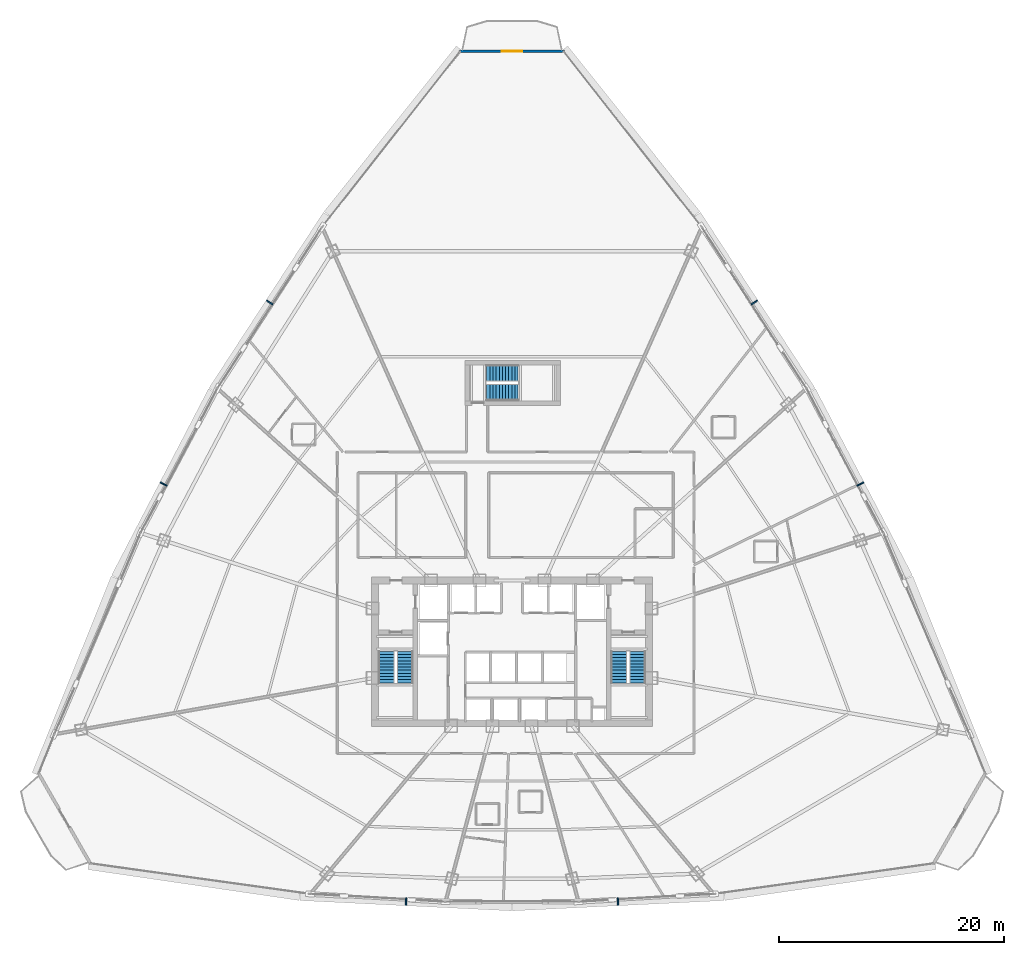
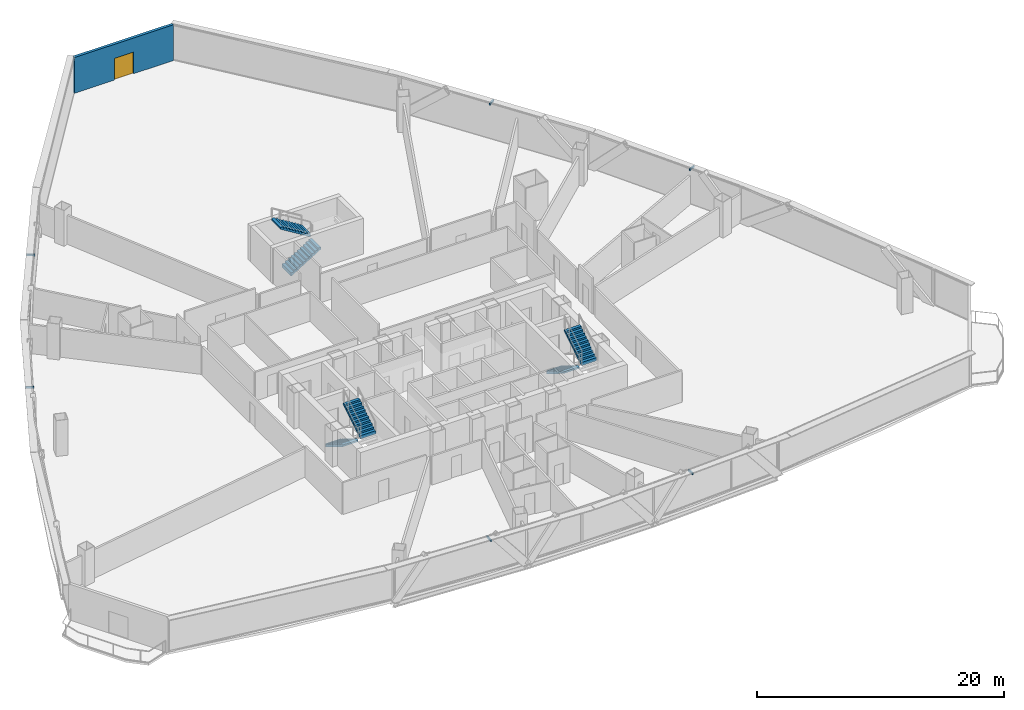
# One storey, part 34 of 38: 6 discrete accessories, 6 stair flights, 1 door, 1 wall, 1 opening, 3 elements without a shape of their own.
"""IFC4 building model written with IfcOpenShell, lengths in metres."""

from ifc_helpers import new_model, si_unit, direction, frame, frame_2d, origin, origin_with_axes, origin_2d, place, context, subcontext, project, spatial, polyline, rectangle, outline, extrude, source, transform, mapped, material, layer, layer_set, type_object, element, fill, aggregate, save


model = new_model("IFC4")

# Units and contexts
model_context = context("Model", 3, precision=1e-05, world=origin(), true_north=direction((0.0, 1.0)))
body_context = subcontext(model_context, "Body", "Model", "MODEL_VIEW")
ifc_project = project(units=[si_unit("LENGTHUNIT", "METRE"), si_unit("AREAUNIT", "SQUARE_METRE"), si_unit("VOLUMEUNIT", "CUBIC_METRE"), si_unit("PLANEANGLEUNIT", "RADIAN"), si_unit("MASSUNIT", "GRAM", prefix="KILO"), si_unit("THERMODYNAMICTEMPERATUREUNIT", "KELVIN"), si_unit("POWERUNIT", "WATT")], contexts=[model_context])

# Site, building, storey
site_placement = place(None, origin())
site = spatial("IfcSite", under=ifc_project, at=site_placement, CompositionType="ELEMENT")
building_placement = place(site_placement, origin())
building = spatial("IfcBuilding", under=site, at=building_placement, Name="Yunzhuo Pagoda Commons", CompositionType="ELEMENT")
storey_placement = place(building_placement, frame((0.0, 0.0, 81.179931640625)))
storey = spatial("IfcBuildingStorey", under=building, at=storey_placement, Name="L20", CompositionType="ELEMENT", Elevation=81.179931640625)

# Wall, opening, door
ifc_material_1 = material(Name="Precast concrete C40", Category="concrete")
ifc_layer = layer(ifc_material_1, 0.260009765625)
ifc_layer_set = layer_set([ifc_layer], Name="Precast concrete C40")
wall_type = type_object("IfcWallType", Name="W-BAL1 Corner Balcony Threshold Wall 260", PredefinedType="STANDARD", material=ifc_layer_set)
wall_placement = place(storey_placement, frame((52.652587890625, 87.320068359375, 0.0), z_axis=(0.0, 0.0, 1.0), x_axis=(-1.0, 0.0, 0.0)))
wall = element("IfcWall", 1, at=wall_placement, inside=storey, type_object=wall_type, Name="L20 corner balcony wall V3", PredefinedType="STANDARD", context=body_context, shape_type="SweptSolid", body=[
    extrude(rectangle(XDim=9.30517578125, YDim=0.260009765625, at=frame_2d((4.652587890625, 0.0))), origin(), (0.0, 0.0, 1.0), 3.5400390625),
])
opening_placement = place(wall_placement, frame((3.752685546875, 0.0, 0.0)))
opening = element("IfcOpeningElement", 2, at=opening_placement, cuts=wall, Name="Opening D-BAL1", PredefinedType="OPENING", context=body_context, shape_type="SweptSolid", body=[
    extrude(rectangle(XDim=1.800048828125, YDim=2.14990234375, at=frame_2d((0.89990234375, 1.074951171875))), frame((0.0, 0.14013671875, 0.0), z_axis=(0.0, -1.0, 0.0), x_axis=(1.0, 0.0, 0.0)), (0.0, 0.0, 1.0), 0.280029296875),
])
ifc_material_2 = material(Name="Anodized aluminium frame and tempered glazed leaf", Category="aluminium")
door_type = type_object("IfcDoorType", Name="D-BAL1 Corner Balcony Sliding Glazed Door 1800x2150", OperationType="DOUBLE_DOOR_SLIDING", PredefinedType="DOOR", material=ifc_material_2)
shared_shape_1 = source(origin(), body_context, "Body", "SweptSolid", [
    extrude(rectangle(XDim=1.800048828125, YDim=2.14990234375, at=frame_2d((0.89990234375, 1.074951171875))), frame((0.0, 0.02490234375, 0.0), z_axis=(0.0, -1.0, 0.0), x_axis=(1.0, 0.0, 0.0)), (0.0, 0.0, 1.0), 0.050048828125),
])
door_placement = place(opening_placement, origin_with_axes())
door = element("IfcDoor", 3, at=door_placement, inside=storey, type_object=door_type, Name="L20 corner balcony sliding door V3", OperationType="DOUBLE_DOOR_SLIDING", OverallHeight=2.14990234375, OverallWidth=1.800048828125, PredefinedType="DOOR", context=body_context, shape_type="MappedRepresentation", body=[
    mapped(shared_shape_1, transform((0.0, 0.0, 0.0), scale=1.0)),
])
fill(opening, door)

# Stair, stair flights
ifc_material_3 = material(Name="Concrete C40", Category="concrete")
stair_type_1 = type_object("IfcStairType", Name="ST-C1 Core Smokeproof Stair ST1", PredefinedType="HALF_TURN_STAIR", material=ifc_material_3)
stair_1_placement = place(storey_placement, origin())
stair_1 = element("IfcStair", 4, at=stair_1_placement, inside=storey, type_object=stair_type_1, Name="L20 Core smokeproof stair ST1", PredefinedType="HALF_TURN_STAIR")
stair_flight_type_1 = type_object("IfcStairFlightType", Name="STF-C1 Core Stair Flight 1450", PredefinedType="STRAIGHT", material=ifc_material_3)
shared_shape_2 = source(origin(), body_context, "Body", "SweptSolid", [
    extrude(outline(polyline([(0.0, -0.14990234375), (0.0, 0.0), (0.0, 0.172607421875), (0.280029296875, 0.172607421875), (0.280029296875, 0.345458984375), (0.56005859375, 0.345458984375), (0.56005859375, 0.51806640625), (0.840087890625, 0.51806640625), (0.840087890625, 0.69091796875), (1.1201171875, 0.69091796875), (1.1201171875, 0.863525390625), (1.39990234375, 0.863525390625), (1.39990234375, 1.036376953125), (1.679931640625, 1.036376953125), (1.679931640625, 1.208984375), (1.9599609375, 1.208984375), (1.9599609375, 1.3818359375), (2.239990234375, 1.3818359375), (2.239990234375, 1.554443359375), (2.52001953125, 1.554443359375), (2.52001953125, 1.727294921875), (2.800048828125, 1.727294921875), (2.800048828125, 1.89990234375), (2.800048828125, 1.551025390625), (0.285400390625, 0.0), (0.050048828125, -0.14990234375), (0.0, -0.14990234375)])), frame((0.0, 0.72509765625, 0.0), z_axis=(0.0, -1.0, 0.0), x_axis=(1.0, 0.0, 0.0)), (0.0, 0.0, 1.0), 1.449951171875),
])
stair_flight_1_placement = place(storey_placement, frame((36.824951171875, 33.89990234375, 0.0), z_axis=(0.0, 0.0, 1.0), x_axis=(0.0, -1.0, 0.0)))
stair_flight_1 = element("IfcStairFlight", 5, at=stair_flight_1_placement, type_object=stair_flight_type_1, Name="ST1 flight 1", NumberOfRisers=11, NumberOfTreads=10, PredefinedType="STRAIGHT", RiserHeight=0.172727273, TreadLength=0.28, context=body_context, shape_type="MappedRepresentation", body=[
    mapped(shared_shape_2, transform((0.0, 0.0, 0.0), scale=1.0)),
])
stair_flight_2_placement = place(storey_placement, frame((38.47509765625, 31.10009765625, 1.900146484375), z_axis=(0.0, 0.0, 1.0), x_axis=(0.0, 1.0, 0.0)))
stair_flight_2 = element("IfcStairFlight", 6, at=stair_flight_2_placement, type_object=stair_flight_type_1, Name="ST1 flight 2", NumberOfRisers=11, NumberOfTreads=10, PredefinedType="STRAIGHT", RiserHeight=0.172727273, TreadLength=0.28, context=body_context, shape_type="MappedRepresentation", body=[
    mapped(shared_shape_2, transform((0.0, 0.0, 0.0), scale=1.0)),
])
aggregate(stair_1, [stair_flight_1, stair_flight_2])

stair_type_2 = type_object("IfcStairType", Name="ST-C2 Core Smokeproof Stair ST2", PredefinedType="HALF_TURN_STAIR", material=ifc_material_3)
stair_2_placement = place(storey_placement, origin())
stair_2 = element("IfcStair", 7, at=stair_2_placement, inside=storey, type_object=stair_type_2, Name="L20 Core smokeproof stair ST2", PredefinedType="HALF_TURN_STAIR")
stair_flight_type_2 = type_object("IfcStairFlightType", Name="STF-C2 Core Stair Flight 1460", PredefinedType="STRAIGHT", material=ifc_material_3)
stair_flight_3_placement = place(storey_placement, frame((57.52490234375, 33.89990234375, 0.0), z_axis=(0.0, 0.0, 1.0), x_axis=(0.0, -1.0, 0.0)))
stair_flight_3 = element("IfcStairFlight", 8, at=stair_flight_3_placement, type_object=stair_flight_type_2, Name="ST2 flight 1", NumberOfRisers=11, NumberOfTreads=10, PredefinedType="STRAIGHT", RiserHeight=0.172727273, TreadLength=0.28, context=body_context, shape_type="MappedRepresentation", body=[
    mapped(shared_shape_2, transform((0.0, 0.0, 0.0), scale=1.0)),
])
stair_flight_4_placement = place(storey_placement, frame((59.175048828125, 31.10009765625, 1.900146484375), z_axis=(0.0, 0.0, 1.0), x_axis=(0.0, 1.0, 0.0)))
stair_flight_4 = element("IfcStairFlight", 9, at=stair_flight_4_placement, type_object=stair_flight_type_2, Name="ST2 flight 2", NumberOfRisers=11, NumberOfTreads=10, PredefinedType="STRAIGHT", RiserHeight=0.172727273, TreadLength=0.28, context=body_context, shape_type="MappedRepresentation", body=[
    mapped(shared_shape_2, transform((0.0, 0.0, 0.0), scale=1.0)),
])
aggregate(stair_2, [stair_flight_3, stair_flight_4])

stair_type_3 = type_object("IfcStairType", Name="ST-C3 North Tower Smokeproof Stair ST3", PredefinedType="HALF_TURN_STAIR", material=ifc_material_3)
stair_3_placement = place(storey_placement, origin())
stair_3 = element("IfcStair", 10, at=stair_3_placement, inside=storey, type_object=stair_type_3, Name="L20 North tower smokeproof stair ST3", PredefinedType="HALF_TURN_STAIR")
stair_flight_type_3 = type_object("IfcStairFlightType", Name="STF-C3 North Stair Flight 1500", PredefinedType="STRAIGHT", material=ifc_material_3)
shared_shape_3 = source(origin(), body_context, "Body", "SweptSolid", [
    extrude(outline(polyline([(0.0, -0.14990234375), (0.0, 0.0), (0.0, 0.172607421875), (0.280029296875, 0.172607421875), (0.280029296875, 0.345458984375), (0.56005859375, 0.345458984375), (0.56005859375, 0.51806640625), (0.840087890625, 0.51806640625), (0.840087890625, 0.69091796875), (1.1201171875, 0.69091796875), (1.1201171875, 0.863525390625), (1.39990234375, 0.863525390625), (1.39990234375, 1.036376953125), (1.679931640625, 1.036376953125), (1.679931640625, 1.208984375), (1.9599609375, 1.208984375), (1.9599609375, 1.3818359375), (2.239990234375, 1.3818359375), (2.239990234375, 1.554443359375), (2.52001953125, 1.554443359375), (2.52001953125, 1.727294921875), (2.800048828125, 1.727294921875), (2.800048828125, 1.89990234375), (2.800048828125, 1.551025390625), (0.285400390625, 0.0), (0.050048828125, -0.14990234375), (0.0, -0.14990234375)])), frame((0.0, 0.75, 0.0), z_axis=(0.0, -1.0, 0.0), x_axis=(1.0, 0.0, 0.0)), (0.0, 0.0, 1.0), 1.5),
])
stair_flight_5_placement = place(storey_placement, frame((45.75, 56.949951171875, 0.0), z_axis=(0.0, 0.0, 1.0), x_axis=(1.0, 0.0, 0.0)))
stair_flight_5 = element("IfcStairFlight", 11, at=stair_flight_5_placement, type_object=stair_flight_type_3, Name="ST3 flight 1", NumberOfRisers=11, NumberOfTreads=10, PredefinedType="STRAIGHT", RiserHeight=0.172727273, TreadLength=0.28, context=body_context, shape_type="MappedRepresentation", body=[
    mapped(shared_shape_3, transform((0.0, 0.0, 0.0), scale=1.0)),
])
stair_flight_6_placement = place(storey_placement, frame((48.550048828125, 58.64990234375, 1.900146484375), z_axis=(0.0, 0.0, 1.0), x_axis=(-1.0, 0.0, 0.0)))
stair_flight_6 = element("IfcStairFlight", 12, at=stair_flight_6_placement, type_object=stair_flight_type_3, Name="ST3 flight 2", NumberOfRisers=11, NumberOfTreads=10, PredefinedType="STRAIGHT", RiserHeight=0.172727273, TreadLength=0.28, context=body_context, shape_type="MappedRepresentation", body=[
    mapped(shared_shape_3, transform((0.0, 0.0, 0.0), scale=1.0)),
])
aggregate(stair_3, [stair_flight_5, stair_flight_6])

# Discrete accessories
ifc_material_4 = material(Name="Anodized aluminium 6063-T6", Category="aluminium")
discrete_accessory_type = type_object("IfcDiscreteAccessoryType", Name="BK-SUN1 Sunshade Outrigger Bracket", PredefinedType="BRACKET", material=ifc_material_4)
shared_shape_4 = source(origin(), body_context, "Body", "SweptSolid", [
    extrude(rectangle(XDim=0.1201171875, YDim=0.679931640625, at=origin_2d()), origin(), (0.0, 0.0, 1.0), 0.179931640625),
])
for number, where, z_axis, x_axis, name in (
    (13, (38.56591796875, 11.61865234375, 3.330078125), (0.0, 0.0, 1.0), (0.998818043775, -0.04860571396, 0.0), "L20 sunshade outrigger bracket F1.2"),
    (14, (57.43408203125, 11.61865234375, 3.330078125), (0.0, 0.0, 1.0), (0.998818043775, 0.04860571396, 0.0), "L20 sunshade outrigger bracket F1.3"),
    (15, (79.01318359375, 48.79833984375, 3.330078125), (0.0, 0.0, 1.0), (-0.461206683033, 0.88729273384, 0.0), "L20 sunshade outrigger bracket F2.2"),
    (16, (69.5791015625, 64.960205078125, 3.330078125), (0.0, 0.0, 1.0), (-0.545838756973, 0.837890238269, 0.0), "L20 sunshade outrigger bracket F2.3"),
    (17, (26.4208984375, 64.960205078125, 3.330078125), (0.0, 0.0, 1.0), (-0.545838756973, -0.837890238269, 0.0), "L20 sunshade outrigger bracket F3.2"),
    (18, (16.98681640625, 48.79833984375, 3.330078125), (0.0, 0.0, 1.0), (-0.461206683033, -0.88729273384, 0.0), "L20 sunshade outrigger bracket F3.3"),
):
    element("IfcDiscreteAccessory", number, at=place(storey_placement, frame(where, z_axis=z_axis, x_axis=x_axis)), inside=storey, type_object=discrete_accessory_type, Name=name, PredefinedType="BRACKET", context=body_context, shape_type="MappedRepresentation", body=[
        mapped(shared_shape_4, transform((0.0, 0.0, 0.0), scale=1.0)),
    ])

save(model, "model.ifc")
